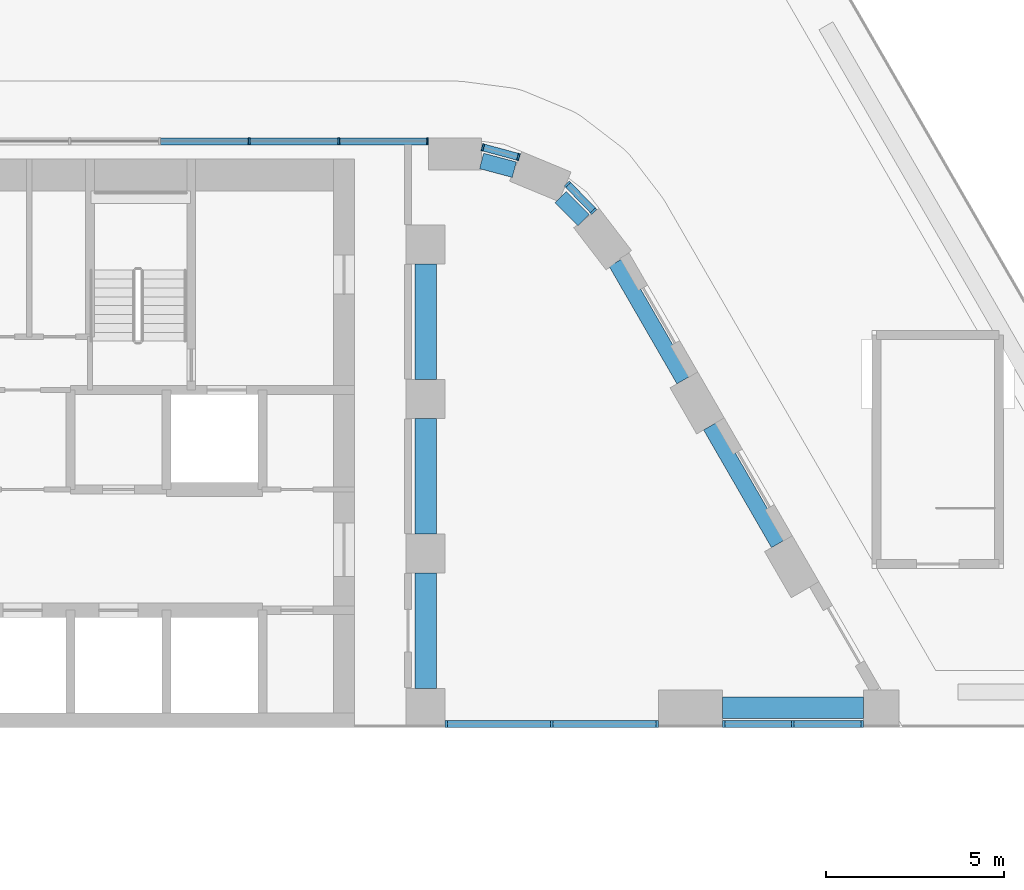
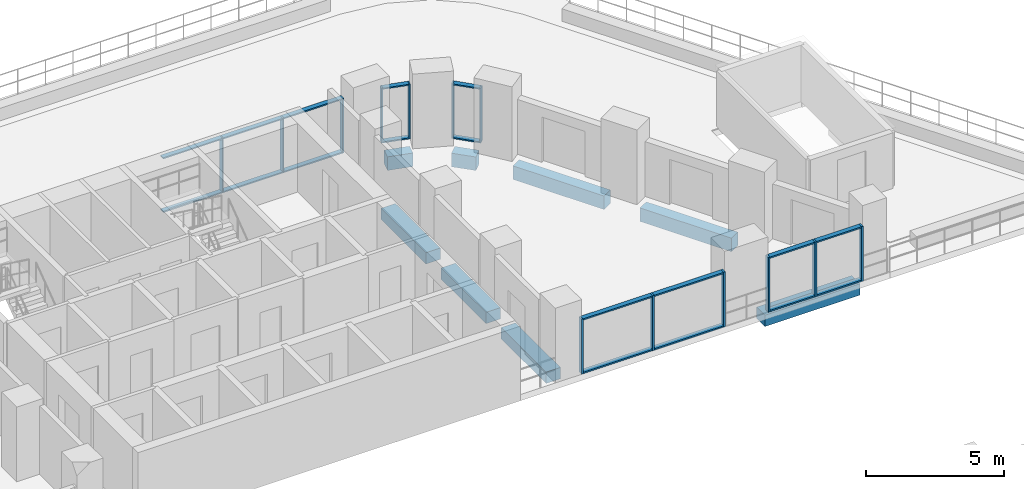
# One storey, part 5 of 24: 31 members, 8 beams, 5 elements without a shape of their own.
"""IFC4 building model written with IfcOpenShell, lengths in metres."""

from ifc_helpers import new_model, si_unit, direction, frame, origin, origin_2d, place, context, subcontext, project, spatial, rectangle, extrude, material, layer, layer_set, material_profile, profile_set, type_object, element, aggregate, save


model = new_model("IFC4")

# Units and contexts
model_context = context("Model", 3, precision=1e-05, world=origin(), true_north=direction((0.0, 1.0)))
body_context = subcontext(model_context, "Body", "Model", "MODEL_VIEW")
ifc_project = project(units=[si_unit("LENGTHUNIT", "METRE"), si_unit("AREAUNIT", "SQUARE_METRE"), si_unit("VOLUMEUNIT", "CUBIC_METRE"), si_unit("PLANEANGLEUNIT", "RADIAN"), si_unit("MASSUNIT", "GRAM", prefix="KILO")], contexts=[model_context])

# Site, building, storey
site_placement = place(None, origin())
site = spatial("IfcSite", under=ifc_project, at=site_placement, CompositionType="ELEMENT")
building_placement = place(site_placement, origin())
building = spatial("IfcBuilding", under=site, at=building_placement, Name="Nakaniwa Court", CompositionType="ELEMENT")
storey_placement = place(building_placement, frame((0.0, 0.0, 28.199951171875)))
storey = spatial("IfcBuildingStorey", under=building, at=storey_placement, Name="L06", CompositionType="ELEMENT", Elevation=28.199951171875)

# Curtain wall, members
ifc_material_1 = material(Name="Black anodised aluminium frame with dark low-E laminated double glazing", Category="aluminium")
ifc_layer_1 = layer(ifc_material_1, 0.199951171875)
ifc_layer_set_1 = layer_set([ifc_layer_1], Name="Black anodised aluminium frame with dark low-E laminated double glazing")
curtain_wall_type_1 = type_object("IfcCurtainWallType", Name="Amenity and sky level curtain wall", PredefinedType="NOTDEFINED", material=ifc_layer_set_1)
curtain_wall_1_placement = place(storey_placement, origin())
curtain_wall_1 = element("IfcCurtainWall", 1, at=curtain_wall_1_placement, inside=storey, type_object=curtain_wall_type_1, Name="L06 curtain wall CW3 24", PredefinedType="NOTDEFINED")
ifc_material_2 = material(Name="Black anodised aluminium extrusion", Category="aluminium")
ifc_material_profile_1 = material_profile(ifc_material_2, rectangle(XDim=0.199951171875, YDim=0.054931640625, at=origin_2d()), Name="Amenity and sky level curtain wall mullion 55x200")
ifc_profile_set_1 = profile_set([ifc_material_profile_1], Name="Black anodised aluminium extrusion")
member_type_1 = type_object("IfcMemberType", Name="Amenity and sky level curtain wall mullion 55x200", PredefinedType="MULLION", material=ifc_profile_set_1)
member_1_placement = place(storey_placement, frame((94.7294921875, 101.937255859375, 0.0), z_axis=(0.0, 0.0, 1.0), x_axis=(-0.717875842548, -0.696171153299, 0.0)))
member_1 = element("IfcMember", 2, at=member_1_placement, type_object=member_type_1, Name="CW3 mullion 1", PredefinedType="MULLION", context=body_context, shape_type="SweptSolid", body=[
    extrude(rectangle(XDim=0.199951171875, YDim=0.054931640625, at=origin_2d()), origin(), (0.0, 0.0, 1.0), 2.425048828125),
])
member_2_placement = place(storey_placement, frame((93.99462890625, 102.695068359375, 0.0), z_axis=(0.0, 0.0, 1.0), x_axis=(-0.717875842548, -0.696171153299, 0.0)))
member_2 = element("IfcMember", 3, at=member_2_placement, type_object=member_type_1, Name="CW3 mullion 2", PredefinedType="MULLION", context=body_context, shape_type="SweptSolid", body=[
    extrude(rectangle(XDim=0.199951171875, YDim=0.054931640625, at=origin_2d()), origin(), (0.0, 0.0, 1.0), 2.425048828125),
])

curtain_wall_2_placement = place(storey_placement, origin())
curtain_wall_2 = element("IfcCurtainWall", 4, at=curtain_wall_2_placement, inside=storey, type_object=curtain_wall_type_1, Name="L06 curtain wall CW3 25", PredefinedType="NOTDEFINED")
member_3_placement = place(storey_placement, frame((92.612060546875, 103.46240234375, 0.0), z_axis=(0.0, 0.0, 1.0), x_axis=(-0.261436789175, -0.965220599276, 0.0)))
member_3 = element("IfcMember", 5, at=member_3_placement, type_object=member_type_1, Name="CW3 mullion 1", PredefinedType="MULLION", context=body_context, shape_type="SweptSolid", body=[
    extrude(rectangle(XDim=0.199951171875, YDim=0.054931640625, at=origin_2d()), origin(), (0.0, 0.0, 1.0), 2.425048828125),
])
member_4_placement = place(storey_placement, frame((91.6103515625, 103.73388671875, 0.0), z_axis=(0.0, 0.0, 1.0), x_axis=(-0.261436789175, -0.965220599276, 0.0)))
member_4 = element("IfcMember", 6, at=member_4_placement, type_object=member_type_1, Name="CW3 mullion 2", PredefinedType="MULLION", context=body_context, shape_type="SweptSolid", body=[
    extrude(rectangle(XDim=0.199951171875, YDim=0.054931640625, at=origin_2d()), origin(), (0.0, 0.0, 1.0), 2.425048828125),
])

curtain_wall_3_placement = place(storey_placement, origin())
curtain_wall_3 = element("IfcCurtainWall", 7, at=curtain_wall_3_placement, inside=storey, type_object=curtain_wall_type_1, Name="L06 curtain wall CW3 26", PredefinedType="NOTDEFINED")
member_5_placement = place(storey_placement, frame((90.05126953125, 103.89990234375, 0.0), z_axis=(0.0, 0.0, 1.0), x_axis=(0.0, -1.0, 0.0)))
member_5 = element("IfcMember", 8, at=member_5_placement, type_object=member_type_1, Name="CW3 mullion 1", PredefinedType="MULLION", context=body_context, shape_type="SweptSolid", body=[
    extrude(rectangle(XDim=0.199951171875, YDim=0.054931640625, at=origin_2d()), origin(), (0.0, 0.0, 1.0), 2.425048828125),
])
member_6_placement = place(storey_placement, frame((87.554931640625, 103.89990234375, 0.0), z_axis=(0.0, 0.0, 1.0), x_axis=(0.0, -1.0, 0.0)))
member_6 = element("IfcMember", 9, at=member_6_placement, type_object=member_type_1, Name="CW3 mullion 2", PredefinedType="MULLION", context=body_context, shape_type="SweptSolid", body=[
    extrude(rectangle(XDim=0.199951171875, YDim=0.054931640625, at=origin_2d()), origin(), (0.0, 0.0, 1.0), 2.425048828125),
])
member_7_placement = place(storey_placement, frame((85.031005859375, 103.89990234375, 0.0), z_axis=(0.0, 0.0, 1.0), x_axis=(0.0, -1.0, 0.0)))
member_7 = element("IfcMember", 10, at=member_7_placement, type_object=member_type_1, Name="CW3 mullion 3", PredefinedType="MULLION", context=body_context, shape_type="SweptSolid", body=[
    extrude(rectangle(XDim=0.199951171875, YDim=0.054931640625, at=origin_2d()), origin(), (0.0, 0.0, 1.0), 2.425048828125),
])

# Member
ifc_material_profile_2 = material_profile(ifc_material_2, rectangle(XDim=0.199951171875, YDim=0.054931640625, at=origin_2d()), Name="Amenity and sky level curtain wall transom 55x200")
ifc_profile_set_2 = profile_set([ifc_material_profile_2], Name="Black anodised aluminium extrusion")
member_type_2 = type_object("IfcMemberType", Name="Amenity and sky level curtain wall transom 55x200", PredefinedType="USERDEFINED", material=ifc_profile_set_2)
member_8_placement = place(storey_placement, frame((94.710205078125, 101.95703125, 0.027587890625), z_axis=(-0.696039105733, 0.718003874147, 0.0), x_axis=(-0.718003874147, -0.696039105733, 0.0)))
member_8 = element("IfcMember", 11, at=member_8_placement, type_object=member_type_2, Name="CW3 transom 1.1", ObjectType="TRANSOM", PredefinedType="USERDEFINED", context=body_context, shape_type="SweptSolid", body=[
    extrude(rectangle(XDim=0.199951171875, YDim=0.054931640625, at=origin_2d()), origin(), (0.0, 0.0, 1.0), 1.000244140625),
])

member_9_placement = place(storey_placement, frame((94.710205078125, 101.95703125, 2.3974609375), z_axis=(-0.696039105733, 0.718003874147, 0.0), x_axis=(-0.718003874147, -0.696039105733, 0.0)))
member_9 = element("IfcMember", 12, at=member_9_placement, type_object=member_type_2, Name="CW3 transom 1.2", ObjectType="TRANSOM", PredefinedType="USERDEFINED", context=body_context, shape_type="SweptSolid", body=[
    extrude(rectangle(XDim=0.199951171875, YDim=0.054931640625, at=origin_2d()), origin(), (0.0, 0.0, 1.0), 1.000244140625),
])

aggregate(curtain_wall_1, [member_1, member_2, member_8, member_9])

member_10_placement = place(storey_placement, frame((92.585693359375, 103.4697265625, 0.027587890625), z_axis=(-0.965255092493, 0.261309407438, 0.0), x_axis=(-0.261309407438, -0.965255092493, 0.0)))
member_10 = element("IfcMember", 13, at=member_10_placement, type_object=member_type_2, Name="CW3 transom 1.1", ObjectType="TRANSOM", PredefinedType="USERDEFINED", context=body_context, shape_type="SweptSolid", body=[
    extrude(rectangle(XDim=0.199951171875, YDim=0.054931640625, at=origin_2d()), origin(), (0.0, 0.0, 1.0), 0.98291015625),
])

member_11_placement = place(storey_placement, frame((92.585693359375, 103.4697265625, 2.3974609375), z_axis=(-0.965255092493, 0.261309407438, 0.0), x_axis=(-0.261309407438, -0.965255092493, 0.0)))
member_11 = element("IfcMember", 14, at=member_11_placement, type_object=member_type_2, Name="CW3 transom 1.2", ObjectType="TRANSOM", PredefinedType="USERDEFINED", context=body_context, shape_type="SweptSolid", body=[
    extrude(rectangle(XDim=0.199951171875, YDim=0.054931640625, at=origin_2d()), origin(), (0.0, 0.0, 1.0), 0.98291015625),
])

aggregate(curtain_wall_2, [member_3, member_4, member_10, member_11])

member_12_placement = place(storey_placement, frame((90.023681640625, 103.89990234375, 0.027587890625), z_axis=(-1.0, 0.0, 0.0), x_axis=(0.0, -1.0, 0.0)))
member_12 = element("IfcMember", 15, at=member_12_placement, type_object=member_type_2, Name="CW3 transom 1.1", ObjectType="TRANSOM", PredefinedType="USERDEFINED", context=body_context, shape_type="SweptSolid", body=[
    extrude(rectangle(XDim=0.199951171875, YDim=0.054931640625, at=origin_2d()), origin(), (0.0, 0.0, 1.0), 2.441162109375),
])

member_13_placement = place(storey_placement, frame((90.023681640625, 103.89990234375, 2.3974609375), z_axis=(-1.0, 0.0, 0.0), x_axis=(0.0, -1.0, 0.0)))
member_13 = element("IfcMember", 16, at=member_13_placement, type_object=member_type_2, Name="CW3 transom 1.2", ObjectType="TRANSOM", PredefinedType="USERDEFINED", context=body_context, shape_type="SweptSolid", body=[
    extrude(rectangle(XDim=0.199951171875, YDim=0.054931640625, at=origin_2d()), origin(), (0.0, 0.0, 1.0), 2.441162109375),
])

member_14_placement = place(storey_placement, frame((87.52734375, 103.89990234375, 0.027587890625), z_axis=(-1.0, 0.0, 0.0), x_axis=(0.0, -1.0, 0.0)))
member_14 = element("IfcMember", 17, at=member_14_placement, type_object=member_type_2, Name="CW3 transom 2.1", ObjectType="TRANSOM", PredefinedType="USERDEFINED", context=body_context, shape_type="SweptSolid", body=[
    extrude(rectangle(XDim=0.199951171875, YDim=0.054931640625, at=origin_2d()), origin(), (0.0, 0.0, 1.0), 2.46875),
])

member_15_placement = place(storey_placement, frame((87.52734375, 103.89990234375, 2.3974609375), z_axis=(-1.0, 0.0, 0.0), x_axis=(0.0, -1.0, 0.0)))
member_15 = element("IfcMember", 18, at=member_15_placement, type_object=member_type_2, Name="CW3 transom 2.2", ObjectType="TRANSOM", PredefinedType="USERDEFINED", context=body_context, shape_type="SweptSolid", body=[
    extrude(rectangle(XDim=0.199951171875, YDim=0.054931640625, at=origin_2d()), origin(), (0.0, 0.0, 1.0), 2.46875),
])

member_16_placement = place(storey_placement, frame((85.003662109375, 103.89990234375, 0.027587890625), z_axis=(-1.0, 0.0, 0.0), x_axis=(0.0, -1.0, 0.0)))
member_16 = element("IfcMember", 19, at=member_16_placement, type_object=member_type_2, Name="CW3 transom 3.1", ObjectType="TRANSOM", PredefinedType="USERDEFINED", context=body_context, shape_type="SweptSolid", body=[
    extrude(rectangle(XDim=0.199951171875, YDim=0.054931640625, at=origin_2d()), origin(), (0.0, 0.0, 1.0), 2.46875),
])

member_17_placement = place(storey_placement, frame((85.003662109375, 103.89990234375, 2.3974609375), z_axis=(-1.0, 0.0, 0.0), x_axis=(0.0, -1.0, 0.0)))
member_17 = element("IfcMember", 20, at=member_17_placement, type_object=member_type_2, Name="CW3 transom 3.2", ObjectType="TRANSOM", PredefinedType="USERDEFINED", context=body_context, shape_type="SweptSolid", body=[
    extrude(rectangle(XDim=0.199951171875, YDim=0.054931640625, at=origin_2d()), origin(), (0.0, 0.0, 1.0), 2.46875),
])

aggregate(curtain_wall_3, [member_5, member_6, member_7, member_12, member_13, member_14, member_15, member_16, member_17])

# Beams
ifc_material_3 = material(Name="Concrete C100/115", Category="concrete")
ifc_material_profile_3 = material_profile(ifc_material_3, rectangle(XDim=0.449951171875, YDim=0.60009765625, at=origin_2d()), Name="Concrete C100/115 RC 450x600 spandrel beam")
ifc_profile_set_3 = profile_set([ifc_material_profile_3], Name="Concrete C100/115")
beam_type_1 = type_object("IfcBeamType", Name="Concrete C100/115 RC 450x600 spandrel beam", PredefinedType="BEAM", material=ifc_profile_set_3)
beam_1_placement = place(storey_placement, frame((99.933349609375, 92.57421875, -0.574951171875), z_axis=(-0.499961815444, 0.866047448526, 0.0), x_axis=(-0.866047448526, -0.499961815444, 0.0)))
element("IfcBeam", 21, at=beam_1_placement, inside=storey, type_object=beam_type_1, Name="SPANDREL BEAM", PredefinedType="BEAM", context=body_context, shape_type="SweptSolid", body=[
    extrude(rectangle(XDim=0.449951171875, YDim=0.60009765625, at=origin_2d()), origin(), (0.0, 0.0, 1.0), 3.825927734375),
])
beam_2_placement = place(storey_placement, frame((97.2705078125, 97.1865234375, -0.574951171875), z_axis=(-0.500023067617, 0.86601208528, 0.0), x_axis=(-0.86601208528, -0.500023067617, 0.0)))
element("IfcBeam", 22, at=beam_2_placement, inside=storey, type_object=beam_type_1, Name="SPANDREL BEAM", PredefinedType="BEAM", context=body_context, shape_type="SweptSolid", body=[
    extrude(rectangle(XDim=0.449951171875, YDim=0.60009765625, at=origin_2d()), origin(), (0.0, 0.0, 1.0), 3.819580078125),
])
beam_3_placement = place(storey_placement, frame((94.448486328125, 101.68505859375, -0.574951171875), z_axis=(-0.705908410536, 0.708303124329, 0.0), x_axis=(-0.708303124329, -0.705908410536, 0.0)))
element("IfcBeam", 23, at=beam_3_placement, inside=storey, type_object=beam_type_1, Name="SPANDREL BEAM", PredefinedType="BEAM", context=body_context, shape_type="SweptSolid", body=[
    extrude(rectangle(XDim=0.449951171875, YDim=0.60009765625, at=origin_2d()), origin(), (0.0, 0.0, 1.0), 0.91748046875),
])
beam_4_placement = place(storey_placement, frame((92.49609375, 103.10498046875, -0.574951171875), z_axis=(-0.966324126494, 0.257327966912, 0.0), x_axis=(-0.257327966912, -0.966324126494, 0.0)))
element("IfcBeam", 24, at=beam_4_placement, inside=storey, type_object=beam_type_1, Name="SPANDREL BEAM", PredefinedType="BEAM", context=body_context, shape_type="SweptSolid", body=[
    extrude(rectangle(XDim=0.449951171875, YDim=0.60009765625, at=origin_2d()), origin(), (0.0, 0.0, 1.0), 0.95361328125),
])
ifc_material_profile_4 = material_profile(ifc_material_3, rectangle(XDim=0.60009765625, YDim=0.5, at=origin_2d()), Name="Concrete C100/115 RC 600x500 ring beam")
ifc_profile_set_4 = profile_set([ifc_material_profile_4], Name="Concrete C100/115")
beam_type_2 = type_object("IfcBeamType", Name="Concrete C100/115 RC 600x500 ring beam", PredefinedType="BEAM", material=ifc_profile_set_4)
for number, where, z_axis, x_axis, name in (
    (25, (90.0, 88.5, -0.52490234375), (0.0, 1.0, 0.0), (-1.0, 0.0, 0.0), "RING BEAM"),
    (26, (90.0, 92.85009765625, -0.52490234375), (0.0, 1.0, 0.0), (-1.0, 0.0, 0.0), "RING BEAM"),
    (27, (90.0, 97.199951171875, -0.52490234375), (0.0, 1.0, 0.0), (-1.0, 0.0, 0.0), "RING BEAM"),
):
    element("IfcBeam", number, at=place(storey_placement, frame(where, z_axis=z_axis, x_axis=x_axis)), inside=storey, type_object=beam_type_2, Name=name, PredefinedType="BEAM", context=body_context, shape_type="SweptSolid", body=[
        extrude(rectangle(XDim=0.60009765625, YDim=0.5, at=origin_2d()), origin(), (0.0, 0.0, 1.0), 3.25),
    ])
beam_5_placement = place(storey_placement, frame((98.35791015625, 87.949951171875, -0.52490234375), z_axis=(1.0, 0.0, 0.0), x_axis=(0.0, 1.0, 0.0)))
element("IfcBeam", 28, at=beam_5_placement, inside=storey, type_object=beam_type_2, Name="RING BEAM", PredefinedType="BEAM", context=body_context, shape_type="SweptSolid", body=[
    extrude(rectangle(XDim=0.60009765625, YDim=0.5, at=origin_2d()), origin(), (0.0, 0.0, 1.0), 3.965087890625),
])

# Curtain wall, members
ifc_layer_2 = layer(ifc_material_1, 0.199951171875)
ifc_layer_set_2 = layer_set([ifc_layer_2], Name="Black anodised aluminium frame with dark low-E laminated double glazing")
curtain_wall_type_2 = type_object("IfcCurtainWallType", Name="Portal side curtain wall", PredefinedType="NOTDEFINED", material=ifc_layer_set_2)
curtain_wall_4_placement = place(storey_placement, origin())
curtain_wall_4 = element("IfcCurtainWall", 29, at=curtain_wall_4_placement, inside=storey, type_object=curtain_wall_type_2, Name="L06 curtain wall CW5 19", PredefinedType="NOTDEFINED")
ifc_material_profile_5 = material_profile(ifc_material_2, rectangle(XDim=0.199951171875, YDim=0.074951171875, at=origin_2d()), Name="Portal side curtain wall mullion 75x200")
ifc_profile_set_5 = profile_set([ifc_material_profile_5], Name="Black anodised aluminium extrusion")
member_type_3 = type_object("IfcMemberType", Name="Portal side curtain wall mullion 75x200", PredefinedType="MULLION", material=ifc_profile_set_5)
member_18_placement = place(storey_placement, frame((90.58349609375, 87.5, 0.0), z_axis=(0.0, 0.0, 1.0), x_axis=(0.0, 1.0, 0.0)))
member_18 = element("IfcMember", 30, at=member_18_placement, type_object=member_type_3, Name="CW5 mullion 1", PredefinedType="MULLION", context=body_context, shape_type="SweptSolid", body=[
    extrude(rectangle(XDim=0.199951171875, YDim=0.074951171875, at=origin_2d()), origin(), (0.0, 0.0, 1.0), 2.425048828125),
])
member_19_placement = place(storey_placement, frame((93.553955078125, 87.5, 0.0), z_axis=(0.0, 0.0, 1.0), x_axis=(0.0, 1.0, 0.0)))
member_19 = element("IfcMember", 31, at=member_19_placement, type_object=member_type_3, Name="CW5 mullion 2", PredefinedType="MULLION", context=body_context, shape_type="SweptSolid", body=[
    extrude(rectangle(XDim=0.199951171875, YDim=0.074951171875, at=origin_2d()), origin(), (0.0, 0.0, 1.0), 2.425048828125),
])
member_20_placement = place(storey_placement, frame((96.5244140625, 87.5, 0.0), z_axis=(0.0, 0.0, 1.0), x_axis=(0.0, 1.0, 0.0)))
member_20 = element("IfcMember", 32, at=member_20_placement, type_object=member_type_3, Name="CW5 mullion 3", PredefinedType="MULLION", context=body_context, shape_type="SweptSolid", body=[
    extrude(rectangle(XDim=0.199951171875, YDim=0.074951171875, at=origin_2d()), origin(), (0.0, 0.0, 1.0), 2.425048828125),
])

curtain_wall_5_placement = place(storey_placement, origin())
curtain_wall_5 = element("IfcCurtainWall", 33, at=curtain_wall_5_placement, inside=storey, type_object=curtain_wall_type_2, Name="L06 curtain wall CW5 20", PredefinedType="NOTDEFINED")
member_21_placement = place(storey_placement, frame((98.3916015625, 87.5, 0.0), z_axis=(0.0, 0.0, 1.0), x_axis=(0.0, 1.0, 0.0)))
member_21 = element("IfcMember", 34, at=member_21_placement, type_object=member_type_3, Name="CW5 mullion 1", PredefinedType="MULLION", context=body_context, shape_type="SweptSolid", body=[
    extrude(rectangle(XDim=0.199951171875, YDim=0.074951171875, at=origin_2d()), origin(), (0.0, 0.0, 1.0), 2.425048828125),
])
member_22_placement = place(storey_placement, frame((100.340576171875, 87.5, 0.0), z_axis=(0.0, 0.0, 1.0), x_axis=(0.0, 1.0, 0.0)))
member_22 = element("IfcMember", 35, at=member_22_placement, type_object=member_type_3, Name="CW5 mullion 2", PredefinedType="MULLION", context=body_context, shape_type="SweptSolid", body=[
    extrude(rectangle(XDim=0.199951171875, YDim=0.074951171875, at=origin_2d()), origin(), (0.0, 0.0, 1.0), 2.425048828125),
])
member_23_placement = place(storey_placement, frame((102.28955078125, 87.5, 0.0), z_axis=(0.0, 0.0, 1.0), x_axis=(0.0, 1.0, 0.0)))
member_23 = element("IfcMember", 36, at=member_23_placement, type_object=member_type_3, Name="CW5 mullion 3", PredefinedType="MULLION", context=body_context, shape_type="SweptSolid", body=[
    extrude(rectangle(XDim=0.199951171875, YDim=0.074951171875, at=origin_2d()), origin(), (0.0, 0.0, 1.0), 2.425048828125),
])

# Member
ifc_material_profile_6 = material_profile(ifc_material_2, rectangle(XDim=0.199951171875, YDim=0.06494140625, at=origin_2d()), Name="Portal side curtain wall transom 65x200")
ifc_profile_set_6 = profile_set([ifc_material_profile_6], Name="Black anodised aluminium extrusion")
member_type_4 = type_object("IfcMemberType", Name="Portal side curtain wall transom 65x200", PredefinedType="USERDEFINED", material=ifc_profile_set_6)
member_24_placement = place(storey_placement, frame((90.62109375, 87.5, 0.032470703125), z_axis=(1.0, 0.0, 0.0), x_axis=(0.0, 1.0, 0.0)))
member_24 = element("IfcMember", 37, at=member_24_placement, type_object=member_type_4, Name="CW5 transom 1.1", ObjectType="TRANSOM", PredefinedType="USERDEFINED", context=body_context, shape_type="SweptSolid", body=[
    extrude(rectangle(XDim=0.199951171875, YDim=0.06494140625, at=origin_2d()), origin(), (0.0, 0.0, 1.0), 2.8955078125),
])

member_25_placement = place(storey_placement, frame((90.62109375, 87.5, 2.392578125), z_axis=(1.0, 0.0, 0.0), x_axis=(0.0, 1.0, 0.0)))
member_25 = element("IfcMember", 38, at=member_25_placement, type_object=member_type_4, Name="CW5 transom 1.2", ObjectType="TRANSOM", PredefinedType="USERDEFINED", context=body_context, shape_type="SweptSolid", body=[
    extrude(rectangle(XDim=0.199951171875, YDim=0.06494140625, at=origin_2d()), origin(), (0.0, 0.0, 1.0), 2.8955078125),
])

member_26_placement = place(storey_placement, frame((93.591552734375, 87.5, 0.032470703125), z_axis=(1.0, 0.0, 0.0), x_axis=(0.0, 1.0, 0.0)))
member_26 = element("IfcMember", 39, at=member_26_placement, type_object=member_type_4, Name="CW5 transom 2.1", ObjectType="TRANSOM", PredefinedType="USERDEFINED", context=body_context, shape_type="SweptSolid", body=[
    extrude(rectangle(XDim=0.199951171875, YDim=0.06494140625, at=origin_2d()), origin(), (0.0, 0.0, 1.0), 2.8955078125),
])

member_27_placement = place(storey_placement, frame((93.591552734375, 87.5, 2.392578125), z_axis=(1.0, 0.0, 0.0), x_axis=(0.0, 1.0, 0.0)))
member_27 = element("IfcMember", 40, at=member_27_placement, type_object=member_type_4, Name="CW5 transom 2.2", ObjectType="TRANSOM", PredefinedType="USERDEFINED", context=body_context, shape_type="SweptSolid", body=[
    extrude(rectangle(XDim=0.199951171875, YDim=0.06494140625, at=origin_2d()), origin(), (0.0, 0.0, 1.0), 2.8955078125),
])

aggregate(curtain_wall_4, [member_18, member_19, member_20, member_24, member_25, member_26, member_27])

member_28_placement = place(storey_placement, frame((98.428955078125, 87.5, 0.032470703125), z_axis=(1.0, 0.0, 0.0), x_axis=(0.0, 1.0, 0.0)))
member_28 = element("IfcMember", 41, at=member_28_placement, type_object=member_type_4, Name="CW5 transom 1.1", ObjectType="TRANSOM", PredefinedType="USERDEFINED", context=body_context, shape_type="SweptSolid", body=[
    extrude(rectangle(XDim=0.199951171875, YDim=0.06494140625, at=origin_2d()), origin(), (0.0, 0.0, 1.0), 1.8740234375),
])

member_29_placement = place(storey_placement, frame((98.428955078125, 87.5, 2.392578125), z_axis=(1.0, 0.0, 0.0), x_axis=(0.0, 1.0, 0.0)))
member_29 = element("IfcMember", 42, at=member_29_placement, type_object=member_type_4, Name="CW5 transom 1.2", ObjectType="TRANSOM", PredefinedType="USERDEFINED", context=body_context, shape_type="SweptSolid", body=[
    extrude(rectangle(XDim=0.199951171875, YDim=0.06494140625, at=origin_2d()), origin(), (0.0, 0.0, 1.0), 1.8740234375),
])

member_30_placement = place(storey_placement, frame((100.3779296875, 87.5, 0.032470703125), z_axis=(1.0, 0.0, 0.0), x_axis=(0.0, 1.0, 0.0)))
member_30 = element("IfcMember", 43, at=member_30_placement, type_object=member_type_4, Name="CW5 transom 2.1", ObjectType="TRANSOM", PredefinedType="USERDEFINED", context=body_context, shape_type="SweptSolid", body=[
    extrude(rectangle(XDim=0.199951171875, YDim=0.06494140625, at=origin_2d()), origin(), (0.0, 0.0, 1.0), 1.8740234375),
])

member_31_placement = place(storey_placement, frame((100.3779296875, 87.5, 2.392578125), z_axis=(1.0, 0.0, 0.0), x_axis=(0.0, 1.0, 0.0)))
member_31 = element("IfcMember", 44, at=member_31_placement, type_object=member_type_4, Name="CW5 transom 2.2", ObjectType="TRANSOM", PredefinedType="USERDEFINED", context=body_context, shape_type="SweptSolid", body=[
    extrude(rectangle(XDim=0.199951171875, YDim=0.06494140625, at=origin_2d()), origin(), (0.0, 0.0, 1.0), 1.8740234375),
])

aggregate(curtain_wall_5, [member_21, member_22, member_23, member_28, member_29, member_30, member_31])

save(model, "model.ifc")
